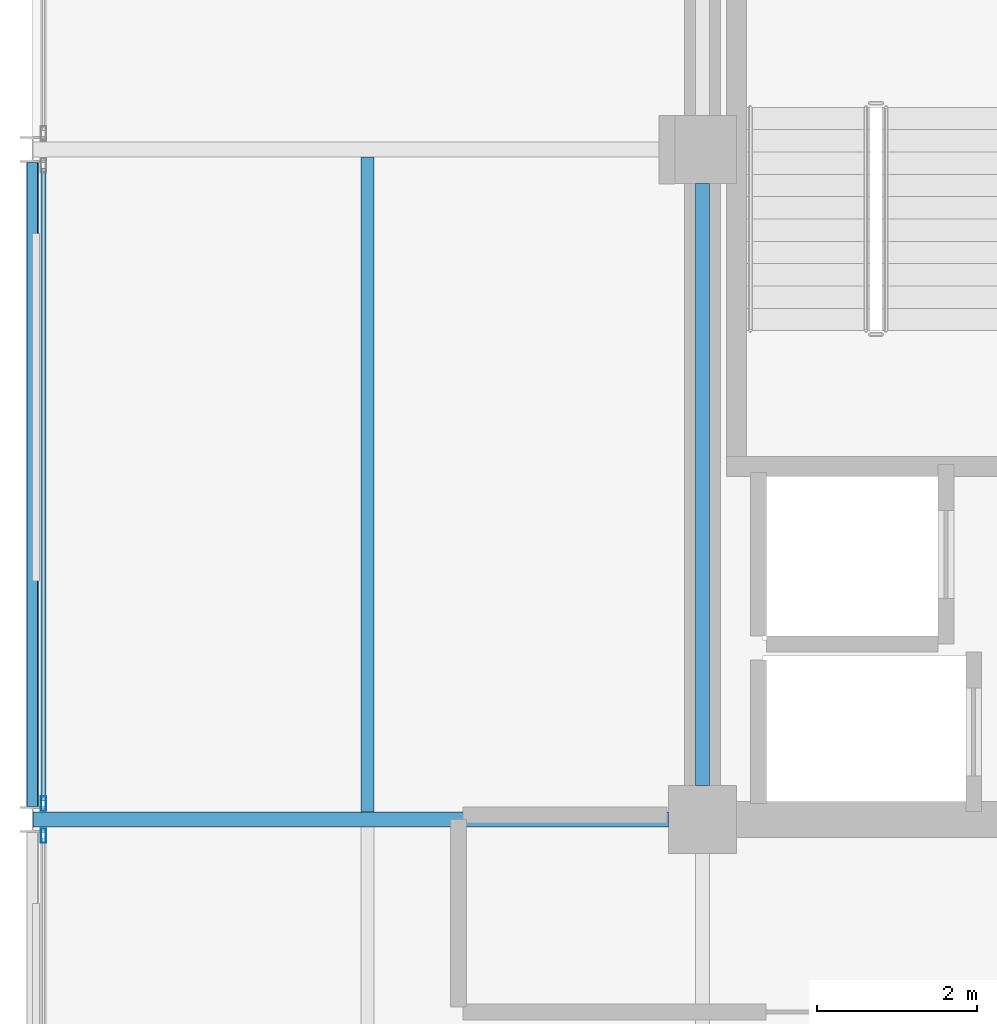
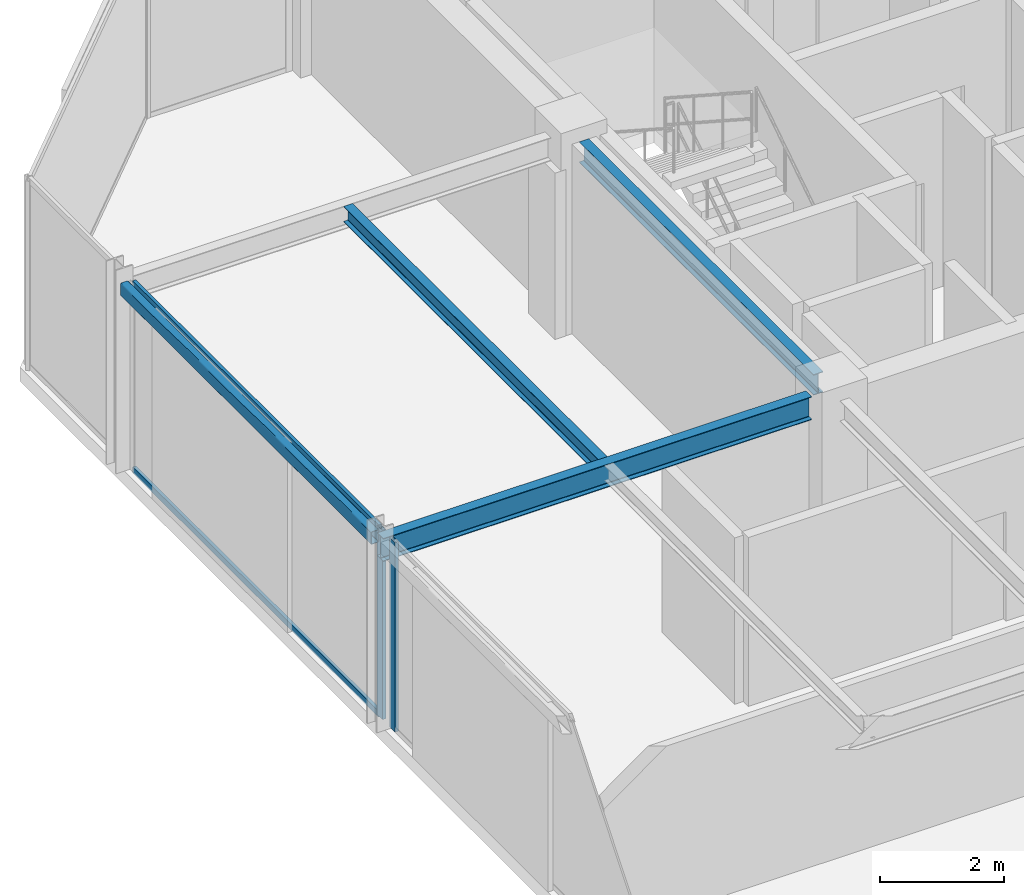
# One storey, part 11 of 26: 4 beams, 4 members, 2 elements without a shape of their own.
"""IFC4 building model written with IfcOpenShell, lengths in metres."""

import ifcopenshell
import ifcopenshell.guid

model = None  # the IFC model being written
_history = None  # IfcOwnerHistory: only IFC2X3 demands one
_inside = {}  # id of a spatial element -> (the spatial element, [elements in it])
_under = {}  # id of a project, library or spatial element -> (it, [spatial elements below it])
_declared = {}  # id of a project -> (the project, [libraries it declares])
_typed = {}  # id of a type object -> (the type object, [elements of that type])
_made_of = {}  # id of a material, layer set ... -> (it, [elements and type objects made of it])


def new_model(schema):
    """Start an empty IFC model of exactly this schema.

    Asked for "IFC4X3", IfcOpenShell would pick the latest addendum, in which some entities
    have other attributes; the version numbers below select the first issue.
    IFC2X3 requires an IfcOwnerHistory on every rooted entity: one is made here for all.
    """
    global model, _history
    if schema == "IFC4X3":
        model = ifcopenshell.file(schema_version=(4, 3, 0, 0))
    else:
        model = ifcopenshell.file(schema=schema)
    _inside.clear()
    _under.clear()
    _declared.clear()
    _typed.clear()
    _made_of.clear()
    _history = None
    if model.schema == "IFC2X3":
        org = make("IfcOrganization", Name="unknown")
        user = make(
            "IfcPersonAndOrganization",
            ThePerson=make("IfcPerson", FamilyName="unknown"),
            TheOrganization=org,
        )
        app = make(
            "IfcApplication",
            ApplicationDeveloper=org,
            Version="unknown",
            ApplicationFullName="unknown",
            ApplicationIdentifier="unknown",
        )
        _history = make(
            "IfcOwnerHistory",
            OwningUser=user,
            OwningApplication=app,
            ChangeAction="ADDED",
            CreationDate=0,
        )
    return model


def make(cls, **values):
    """One entity of the class cls with the attributes given. An attribute that is None is left unset."""
    return model.create_entity(
        cls, **{name: value for name, value in values.items() if value is not None}
    )


def rooted(cls, **values):
    """An entity with a GlobalId (a new one), such as an element, a storey or a relation."""
    return make(cls, GlobalId=ifcopenshell.guid.new(), OwnerHistory=_history, **values)


def si_unit(unit_type, name, prefix=None):
    """IfcSIUnit, for example si_unit("LENGTHUNIT", "METRE", prefix="MILLI")."""
    return make("IfcSIUnit", UnitType=unit_type, Prefix=prefix, Name=name)


def assignment(units):
    """IfcUnitAssignment: the units of a project."""
    return None if units is None else make("IfcUnitAssignment", Units=units)


def point(xyz):
    """IfcCartesianPoint."""
    return None if xyz is None else make("IfcCartesianPoint", Coordinates=xyz)


def direction(xyz):
    """IfcDirection."""
    return None if xyz is None else make("IfcDirection", DirectionRatios=xyz)


def frame(location, z_axis=None, x_axis=None):
    """IfcAxis2Placement3D, a coordinate frame: its origin and axes. An axis left out is left unset."""
    return make(
        "IfcAxis2Placement3D",
        Location=point(location),
        Axis=direction(z_axis),
        RefDirection=direction(x_axis),
    )


def frame_2d(location, x_axis=None):
    """IfcAxis2Placement2D, a coordinate frame in the plane: its origin and x axis."""
    return make(
        "IfcAxis2Placement2D", Location=point(location), RefDirection=direction(x_axis)
    )


def origin():
    """The frame at (0, 0, 0) with its axes left unset."""
    return frame((0.0, 0.0, 0.0))


def origin_2d():
    """The frame at (0, 0) in the plane with its x axis left unset."""
    return frame_2d((0.0, 0.0))


def place(relative_to, where):
    """IfcLocalPlacement: puts the frame where relative to a parent placement (None: the world)."""
    return make(
        "IfcLocalPlacement", PlacementRelTo=relative_to, RelativePlacement=where
    )


def context(
    kind, dimensions, precision=None, world=None, true_north=None, identifier=None
):
    """IfcGeometricRepresentationContext, for example the 3D "Model" context."""
    return make(
        "IfcGeometricRepresentationContext",
        ContextIdentifier=identifier,
        ContextType=kind,
        CoordinateSpaceDimension=dimensions,
        Precision=precision,
        WorldCoordinateSystem=world,
        TrueNorth=true_north,
    )


def subcontext(parent, identifier, kind, view, scale=None):
    """IfcGeometricRepresentationSubContext, for example "Body" below "Model"."""
    return make(
        "IfcGeometricRepresentationSubContext",
        ContextIdentifier=identifier,
        ContextType=kind,
        ParentContext=parent,
        TargetScale=scale,
        TargetView=view,
    )


def project(units=None, contexts=None):
    """IfcProject with its units and contexts."""
    return rooted(
        "IfcProject",
        Name="project",
        RepresentationContexts=contexts,
        UnitsInContext=assignment(units),
    )


def spatial(cls, under=None, at=None, **own):
    """A site, building, storey or space (cls), placed at a placement, below another one or the project."""
    s = rooted(cls, ObjectPlacement=at, **own)
    if under is not None:
        _under.setdefault(under.id(), (under, []))[1].append(s)
    return s


def profile(cls, at=None, kind="AREA", **sizes):
    """A parametric profile (cls). Its sizes go by their IFC names, for example OverallWidth=200.0."""
    return make(cls, ProfileType=kind, Position=at, **sizes)


def hollow_rectangle(**sizes):
    """IfcRectangleHollowProfileDef."""
    return profile("IfcRectangleHollowProfileDef", **sizes)


def i_section(**sizes):
    """IfcIShapeProfileDef."""
    return profile("IfcIShapeProfileDef", **sizes)


def extrude(swept, where, along, depth):
    """IfcExtrudedAreaSolid: the profile swept, set in the frame where, extruded along a direction by depth."""
    return make(
        "IfcExtrudedAreaSolid",
        SweptArea=swept,
        Position=where,
        ExtrudedDirection=direction(along),
        Depth=depth,
    )


def shape(context_of_items, identifier, shape_type, items):
    """IfcShapeRepresentation: the items that make up one representation, for example the "Body"."""
    return make(
        "IfcShapeRepresentation",
        ContextOfItems=context_of_items,
        RepresentationIdentifier=identifier,
        RepresentationType=shape_type,
        Items=items,
    )


def material(Name=None, Category=None):
    """IfcMaterial."""
    return make("IfcMaterial", Name=Name, Category=Category)


def layer(
    of_material, thickness, ventilated=None, Name=None, Category=None, Priority=None
):
    """IfcMaterialLayer: one layer of a wall or slab, of a material (None: an air gap)."""
    return make(
        "IfcMaterialLayer",
        Material=of_material,
        LayerThickness=thickness,
        IsVentilated=ventilated,
        Name=Name,
        Category=Category,
        Priority=Priority,
    )


def layer_set(layers, Name=None):
    """IfcMaterialLayerSet."""
    return make("IfcMaterialLayerSet", MaterialLayers=layers, LayerSetName=Name)


def material_profile(
    of_material, cross_section, Name=None, Category=None, Priority=None
):
    """IfcMaterialProfile: a cross section and its material."""
    return make(
        "IfcMaterialProfile",
        Name=Name,
        Material=of_material,
        Profile=cross_section,
        Priority=Priority,
        Category=Category,
    )


def profile_set(profiles, Name=None, composite=None):
    """IfcMaterialProfileSet."""
    return make(
        "IfcMaterialProfileSet",
        Name=Name,
        MaterialProfiles=profiles,
        CompositeProfile=composite,
    )


def made_of(thing, what):
    """Note that an element or type object is made of a material, layer set ...; save() writes the relation."""
    if what is not None:
        _made_of.setdefault(what.id(), (what, []))[1].append(thing)
    return thing


def type_object(cls, material=None, **own):
    """A type object (cls), such as IfcWallType, which elements share."""
    return made_of(rooted(cls, **own), material)


def element(
    cls,
    number,
    at=None,
    inside=None,
    cuts=None,
    type_object=None,
    material=None,
    context=None,
    identifier="Body",
    shape_type=None,
    held_by="IfcProductDefinitionShape",
    body=None,
    shapes=None,
    **own,
):
    """One element of the class cls, such as IfcWall. Its Tag is "e" and its number.

    at: its placement. inside: the storey or other place that contains it. cuts: it is an
    opening in that element (IfcRelVoidsElement). A single representation is given by context,
    identifier, shape_type and body (its items); several are given by shapes. held_by: the class
    of the entity that holds the representations. save() writes the other relations.
    """
    e = rooted(cls, Tag="e%d" % number, ObjectPlacement=at, **own)
    if body is not None:
        shapes = [shape(context, identifier, shape_type, body)]
    if shapes is not None:
        e.Representation = make(held_by, Representations=shapes)
    if inside is not None:
        _inside.setdefault(inside.id(), (inside, []))[1].append(e)
    if cuts is not None:
        rooted(
            "IfcRelVoidsElement", RelatingBuildingElement=cuts, RelatedOpeningElement=e
        )
    if type_object is not None:
        _typed.setdefault(type_object.id(), (type_object, []))[1].append(e)
    return made_of(e, material)


def aggregate(whole, parts):
    """IfcRelAggregates: a whole, such as a stair, and the parts it consists of."""
    return rooted("IfcRelAggregates", RelatingObject=whole, RelatedObjects=parts)


def save(model, path):
    """Write the relations noted so far, then the file.

    IfcRelAggregates (storeys below a building ...), IfcRelContainedInSpatialStructure (elements
    in a storey), IfcRelDefinesByType, IfcRelAssociatesMaterial and IfcRelDeclares: one each for
    every whole, place, type object, material and project.
    """
    for whole, parts in _under.values():
        aggregate(whole, parts)
    for where, things in _inside.values():
        rooted(
            "IfcRelContainedInSpatialStructure",
            RelatedElements=things,
            RelatingStructure=where,
        )
    for kind, things in _typed.values():
        rooted("IfcRelDefinesByType", RelatedObjects=things, RelatingType=kind)
    for what, things in _made_of.values():
        rooted("IfcRelAssociatesMaterial", RelatedObjects=things, RelatingMaterial=what)
    for by, libraries in _declared.values():
        rooted("IfcRelDeclares", RelatingContext=by, RelatedDefinitions=libraries)
    model.write(path)


model = new_model("IFC4")

# Units and contexts
model_context = context("Model", 3, precision=1e-05, world=origin(), true_north=direction((0.0, 1.0)))
body_context = subcontext(model_context, "Body", "Model", "MODEL_VIEW")
ifc_project = project(units=[si_unit("LENGTHUNIT", "METRE"), si_unit("AREAUNIT", "SQUARE_METRE"), si_unit("VOLUMEUNIT", "CUBIC_METRE"), si_unit("PLANEANGLEUNIT", "RADIAN"), si_unit("MASSUNIT", "GRAM", prefix="KILO")], contexts=[model_context])

# Site, building, storey
site_placement = place(None, origin())
site = spatial("IfcSite", under=ifc_project, at=site_placement, CompositionType="ELEMENT")
building_placement = place(site_placement, origin())
building = spatial("IfcBuilding", under=site, at=building_placement, Name="Nerrivon Quay Data Exchange", CompositionType="ELEMENT")
storey_placement = place(building_placement, frame((0.0, 0.0, 250.199951171875)))
storey = spatial("IfcBuildingStorey", under=building, at=storey_placement, Name="L59", CompositionType="ELEMENT", Elevation=250.199951171875)

# Beams
ifc_material_1 = material(Name="Steel Grade 350", Category="steel")
ifc_material_profile_1 = material_profile(ifc_material_1, i_section(OverallWidth=0.18994140625, OverallDepth=0.4541015625, WebThickness=0.008544921875, FlangeThickness=0.0126953125, FilletRadius=0.011474609375, at=origin_2d()), Name="460UB67.1")
ifc_profile_set_1 = profile_set([ifc_material_profile_1], Name="Steel Grade 350")
beam_type_1 = type_object("IfcBeamType", Name="BM-G6-460UB67", PredefinedType="BEAM", material=ifc_profile_set_1)
beam_1_placement = place(storey_placement, frame((0.0078125, 25.199951171875, 3.498046875), z_axis=(1.0, 0.0, 0.0), x_axis=(0.0, 1.0, 0.0)))
element("IfcBeam", 1, at=beam_1_placement, inside=storey, type_object=beam_type_1, Name="L59 EW Girder Y=25.2 (0.0..8.4)", PredefinedType="BEAM", context=body_context, shape_type="SweptSolid", body=[
    extrude(i_section(OverallWidth=0.18994140625, OverallDepth=0.4541015625, WebThickness=0.008544921875, FlangeThickness=0.0126953125, FilletRadius=0.011474609375, at=origin_2d()), origin(), (0.0, 0.0, 1.0), 7.96728515625),
])
ifc_material_profile_2 = material_profile(ifc_material_1, i_section(OverallWidth=0.177978515625, OverallDepth=0.406005859375, WebThickness=0.0078125, FlangeThickness=0.0126953125, FilletRadius=0.011474609375, at=origin_2d()), Name="410UB59.7")
ifc_profile_set_2 = profile_set([ifc_material_profile_2], Name="Steel Grade 350")
beam_type_2 = type_object("IfcBeamType", Name="BM-J1-410UB60", PredefinedType="JOIST", material=ifc_profile_set_2)
beam_2_placement = place(storey_placement, frame((8.39990234375, 25.625, 3.52197265625), z_axis=(0.0, 1.0, 0.0), x_axis=(-1.0, 0.0, 0.0)))
element("IfcBeam", 2, at=beam_2_placement, inside=storey, type_object=beam_type_2, Name="L59 NS Girder X=8.4 (25.2..33.6)", PredefinedType="JOIST", context=body_context, shape_type="SweptSolid", body=[
    extrude(i_section(OverallWidth=0.177978515625, OverallDepth=0.406005859375, WebThickness=0.0078125, FlangeThickness=0.0126953125, FilletRadius=0.011474609375, at=origin_2d()), origin(), (0.0, 0.0, 1.0), 7.550048828125),
])
ifc_material_profile_3 = material_profile(ifc_material_1, i_section(OverallWidth=0.1650390625, OverallDepth=0.303955078125, WebThickness=0.006103515625, FlangeThickness=0.01025390625, FilletRadius=0.011474609375, at=origin_2d()), Name="310UB40.4")
ifc_profile_set_3 = profile_set([ifc_material_profile_3], Name="Steel Grade 350")
beam_type_3 = type_object("IfcBeamType", Name="BM-J6-310UB40", PredefinedType="JOIST", material=ifc_profile_set_3)
beam_3_placement = place(storey_placement, frame((4.199951171875, 25.294921875, 3.572998046875), z_axis=(0.0, 1.0, 0.0), x_axis=(-1.0, 0.0, 0.0)))
element("IfcBeam", 3, at=beam_3_placement, inside=storey, type_object=beam_type_3, Name="L59 Secondary Joist X=4.2 (25.2..33.6)", PredefinedType="JOIST", context=body_context, shape_type="SweptSolid", body=[
    extrude(i_section(OverallWidth=0.1650390625, OverallDepth=0.303955078125, WebThickness=0.006103515625, FlangeThickness=0.01025390625, FilletRadius=0.011474609375, at=origin_2d()), origin(), (0.0, 0.0, 1.0), 8.2099609375),
])
ifc_material_2 = material(Name="Steel Grade C350L0 (350 MPa)", Category="steel")
ifc_material_profile_4 = material_profile(ifc_material_2, hollow_rectangle(XDim=0.14990234375, YDim=0.25, WallThickness=0.009033203125, InnerFilletRadius=0.013427734375, OuterFilletRadius=0.0224609375, at=origin_2d()), Name="250x150x9.0RHS")
ifc_profile_set_4 = profile_set([ifc_material_profile_4], Name="Steel Grade C350L0 (350 MPa)")
beam_type_4 = type_object("IfcBeamType", Name="BM-SP4-250x150RHS", PredefinedType="SPANDREL", material=ifc_profile_set_4)
beam_4_placement = place(storey_placement, frame((0.0, 25.363525390625, 3.60009765625), z_axis=(0.0, 1.0, 0.0), x_axis=(-1.0, 0.0, 0.0)))
element("IfcBeam", 4, at=beam_4_placement, inside=storey, type_object=beam_type_4, Name="L59 NS Girder X=0.0 (25.2..33.6)", PredefinedType="SPANDREL", context=body_context, shape_type="SweptSolid", body=[
    extrude(hollow_rectangle(XDim=0.14990234375, YDim=0.25, WallThickness=0.009033203125, InnerFilletRadius=0.013427734375, OuterFilletRadius=0.0224609375, at=origin_2d()), origin(), (0.0, 0.0, 1.0), 8.072998046875),
])

# Curtain wall, member
ifc_material_3 = material(Name="Anodised aluminium 6063-T6", Category="aluminium")
ifc_layer = layer(ifc_material_3, 0.195068359375)
ifc_layer_set = layer_set([ifc_layer], Name="Anodised aluminium 6063-T6")
curtain_wall_type = type_object("IfcCurtainWallType", Name="CW-SYS-06", PredefinedType="NOTDEFINED", material=ifc_layer_set)
curtain_wall_1_placement = place(storey_placement, origin())
curtain_wall_1 = element("IfcCurtainWall", 5, at=curtain_wall_1_placement, inside=storey, type_object=curtain_wall_type, Name="L59 Unitised Curtain Wall 13", PredefinedType="NOTDEFINED")
ifc_material_profile_5 = material_profile(ifc_material_3, hollow_rectangle(XDim=0.06494140625, YDim=0.179931640625, WallThickness=0.00341796875, at=origin_2d()), Name="ALU-MULL-180x65")
ifc_profile_set_5 = profile_set([ifc_material_profile_5], Name="Anodised aluminium 6063-T6")
member_type_1 = type_object("IfcMemberType", Name="CWM-180x65", PredefinedType="MULLION", material=ifc_profile_set_5)
member_1_placement = place(storey_placement, frame((0.139892578125, 24.9990234375, 0.0), z_axis=(0.0, 0.0, 1.0), x_axis=(-1.0, 0.0, 0.0)))
member_1 = element("IfcMember", 6, at=member_1_placement, type_object=member_type_1, Name="CW06 mullion 2", PredefinedType="MULLION", context=body_context, shape_type="SweptSolid", body=[
    extrude(hollow_rectangle(XDim=0.06494140625, YDim=0.179931640625, WallThickness=0.00341796875, at=origin_2d()), origin(), (0.0, 0.0, 1.0), 3.72509765625),
])
aggregate(curtain_wall_1, [member_1])

# Curtain wall, members
curtain_wall_2_placement = place(storey_placement, origin())
curtain_wall_2 = element("IfcCurtainWall", 7, at=curtain_wall_2_placement, inside=storey, type_object=curtain_wall_type, Name="L59 Unitised Curtain Wall 14", PredefinedType="NOTDEFINED")
member_2_placement = place(storey_placement, frame((0.139892578125, 25.40087890625, 0.0), z_axis=(0.0, 0.0, 1.0), x_axis=(-1.0, 0.0, 0.0)))
member_2 = element("IfcMember", 8, at=member_2_placement, type_object=member_type_1, Name="CW06 mullion 1", PredefinedType="MULLION", context=body_context, shape_type="SweptSolid", body=[
    extrude(hollow_rectangle(XDim=0.06494140625, YDim=0.179931640625, WallThickness=0.00341796875, at=origin_2d()), origin(), (0.0, 0.0, 1.0), 3.72509765625),
])
ifc_material_profile_6 = material_profile(ifc_material_3, hollow_rectangle(XDim=0.06005859375, YDim=0.1201171875, WallThickness=0.003173828125, at=origin_2d()), Name="ALU-TRAN-120x60")
ifc_profile_set_6 = profile_set([ifc_material_profile_6], Name="Anodised aluminium 6063-T6")
member_type_2 = type_object("IfcMemberType", Name="CWT-120x60", PredefinedType="USERDEFINED", material=ifc_profile_set_6)
member_3_placement = place(storey_placement, frame((0.139892578125, 25.4384765625, 0.032470703125), z_axis=(0.0, 1.0, 0.0), x_axis=(-1.0, 0.0, 0.0)))
member_3 = element("IfcMember", 9, at=member_3_placement, type_object=member_type_2, Name="CW06 transom 1.1", ObjectType="TRANSOM", PredefinedType="USERDEFINED", context=body_context, shape_type="SweptSolid", body=[
    extrude(hollow_rectangle(XDim=0.06005859375, YDim=0.1201171875, WallThickness=0.003173828125, at=origin_2d()), origin(), (0.0, 0.0, 1.0), 7.923095703125),
])
member_4_placement = place(storey_placement, frame((0.139892578125, 25.4384765625, 3.692626953125), z_axis=(0.0, 1.0, 0.0), x_axis=(-1.0, 0.0, 0.0)))
member_4 = element("IfcMember", 10, at=member_4_placement, type_object=member_type_2, Name="CW06 transom 1.2", ObjectType="TRANSOM", PredefinedType="USERDEFINED", context=body_context, shape_type="SweptSolid", body=[
    extrude(hollow_rectangle(XDim=0.06005859375, YDim=0.1201171875, WallThickness=0.003173828125, at=origin_2d()), origin(), (0.0, 0.0, 1.0), 7.923095703125),
])
aggregate(curtain_wall_2, [member_2, member_3, member_4])

save(model, "model.ifc")
